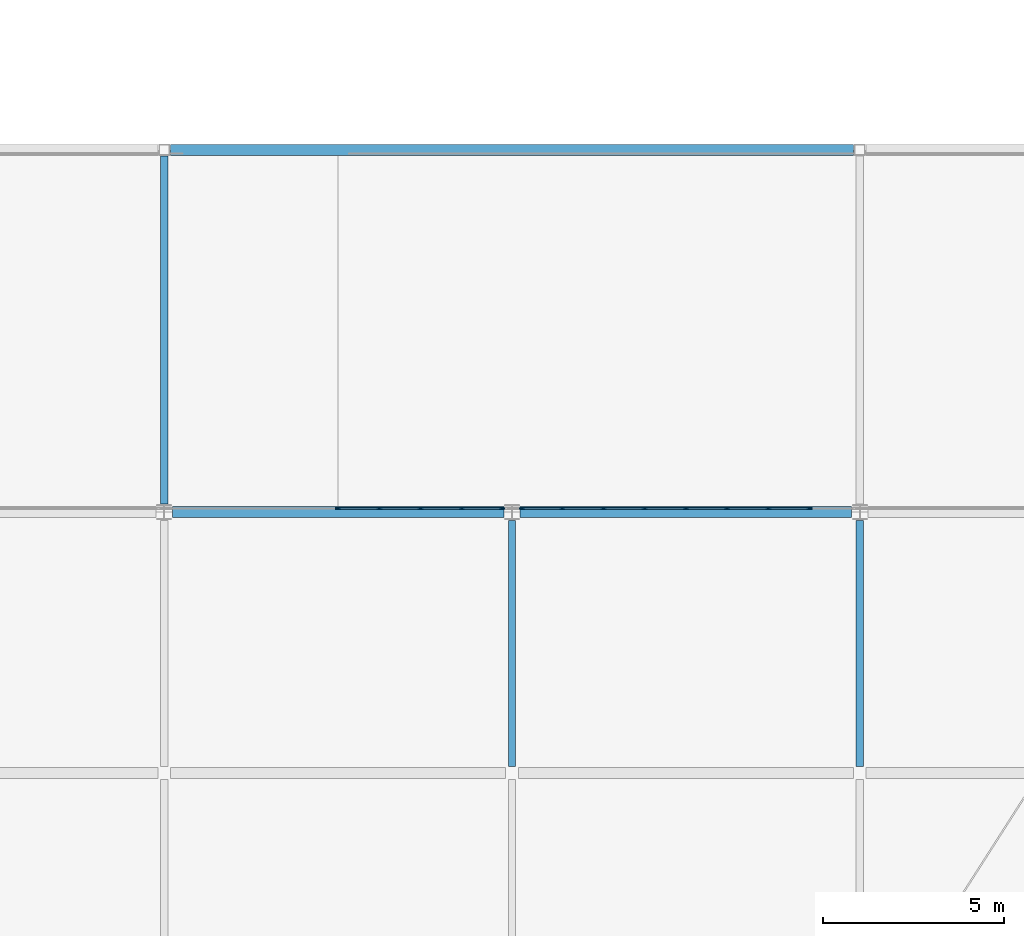
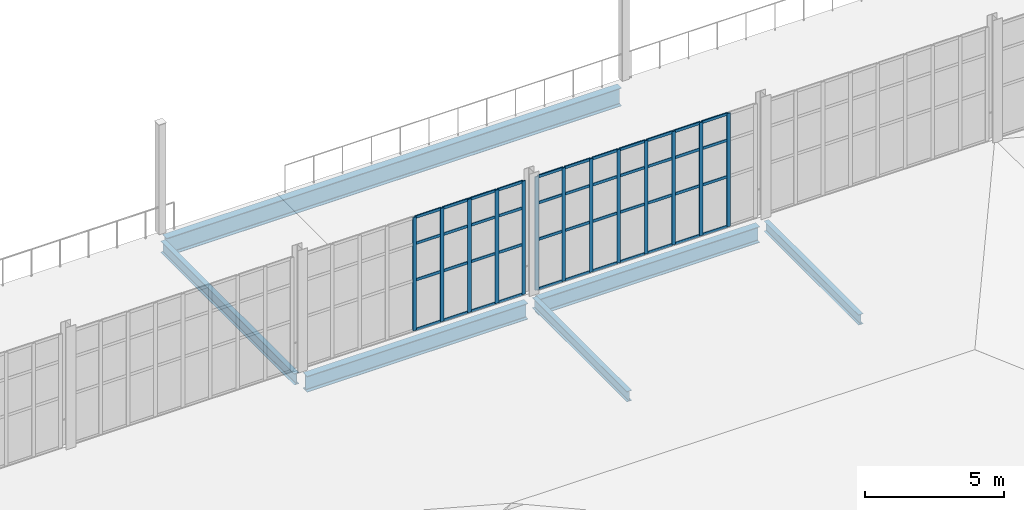
# One storey, part 34 of 112: 57 members, 6 beams, 2 elements without a shape of their own.
"""IFC4 building model written with IfcOpenShell, lengths in metres."""

from ifc_helpers import new_model, si_unit, direction, frame, origin, origin_2d, place, context, subcontext, project, spatial, rectangle, i_section, extrude, material, layer, layer_set, material_profile, profile_set, type_object, element, aggregate, save


model = new_model("IFC4")

# Units and contexts
model_context = context("Model", 3, precision=1e-05, world=origin(), true_north=direction((0.0, 1.0)))
body_context = subcontext(model_context, "Body", "Model", "MODEL_VIEW")
ifc_project = project(units=[si_unit("LENGTHUNIT", "METRE"), si_unit("AREAUNIT", "SQUARE_METRE"), si_unit("VOLUMEUNIT", "CUBIC_METRE"), si_unit("PLANEANGLEUNIT", "RADIAN"), si_unit("MASSUNIT", "GRAM", prefix="KILO")], contexts=[model_context])

# Site, building, storey
site_placement = place(None, origin())
site = spatial("IfcSite", under=ifc_project, at=site_placement, CompositionType="ELEMENT")
building_placement = place(site_placement, origin())
building = spatial("IfcBuilding", under=site, at=building_placement, Name="Yeouljin Market Hall", CompositionType="ELEMENT")
storey_placement = place(building_placement, frame((0.0, 0.0, 6.0)))
storey = spatial("IfcBuildingStorey", under=building, at=storey_placement, Name="L01", CompositionType="ELEMENT", Elevation=6.0)

# Beams
ifc_material_1 = material(Name="Steel SM355", Category="steel")
ifc_material_profile_1 = material_profile(ifc_material_1, i_section(OverallWidth=0.199951171875, OverallDepth=0.449951171875, WebThickness=0.009033203125, FlangeThickness=0.013916015625, FilletRadius=0.01806640625, at=origin_2d()), Name="H-450x200x9x14")
ifc_profile_set_1 = profile_set([ifc_material_profile_1], Name="Steel SM355")
beam_type_1 = type_object("IfcBeamType", Name="Beam_H-450x200x9x14", PredefinedType="BEAM", material=ifc_profile_set_1)
for number, where, z_axis, x_axis, name in (
    (1, (93.0, 28.97509765625, -0.2451171875), (0.0, 1.0, 0.0), (-1.0, 0.0, 0.0), "Boulevard forecourt canopy beam BM-V5FC-Y21"),
    (2, (102.60009765625, 28.97509765625, -0.2451171875), (0.0, 1.0, 0.0), (-1.0, 0.0, 0.0), "Boulevard forecourt canopy beam BM-V5FC-Y25"),
):
    element("IfcBeam", number, at=place(storey_placement, frame(where, z_axis=z_axis, x_axis=x_axis)), inside=storey, type_object=beam_type_1, Name=name, PredefinedType="BEAM", context=body_context, shape_type="SweptSolid", body=[
        extrude(i_section(OverallWidth=0.199951171875, OverallDepth=0.449951171875, WebThickness=0.009033203125, FlangeThickness=0.013916015625, FilletRadius=0.01806640625, at=origin_2d()), origin(), (0.0, 0.0, 1.0), 6.7998046875),
    ])
ifc_material_2 = material(Name="Steel SM355", Category="steel")
ifc_material_profile_2 = material_profile(ifc_material_2, i_section(OverallWidth=0.199951171875, OverallDepth=0.5, WebThickness=0.010009765625, FlangeThickness=0.01611328125, FilletRadius=0.02001953125, at=origin_2d()), Name="H-500x200x10x16")
ifc_profile_set_2 = profile_set([ifc_material_profile_2], Name="Steel SM355")
beam_type_2 = type_object("IfcBeamType", Name="Beam_H-500x200x10x16", PredefinedType="BEAM", material=ifc_profile_set_2)
beam_1_placement = place(storey_placement, frame((83.39990234375, 36.22509765625, -0.52001953125), z_axis=(0.0, 1.0, 0.0), x_axis=(-1.0, 0.0, 0.0)))
element("IfcBeam", 3, at=beam_1_placement, inside=storey, type_object=beam_type_2, Name="Primary beam BM-L01-Y176", PredefinedType="BEAM", context=body_context, shape_type="SweptSolid", body=[
    extrude(i_section(OverallWidth=0.199951171875, OverallDepth=0.5, WebThickness=0.010009765625, FlangeThickness=0.01611328125, FilletRadius=0.02001953125, at=origin_2d()), origin(), (0.0, 0.0, 1.0), 9.599853515625),
])

# Curtain wall, members
ifc_material_3 = material(Name="Thermally Broken Aluminium", Category="aluminium")
ifc_layer = layer(ifc_material_3, 0.159912109375)
ifc_layer_set = layer_set([ifc_layer], Name="Thermally Broken Aluminium")
curtain_wall_type = type_object("IfcCurtainWallType", Name="CW_HallClerestory_System", PredefinedType="USERDEFINED", material=ifc_layer_set)
curtain_wall_1_placement = place(storey_placement, origin())
curtain_wall_1 = element("IfcCurtainWall", 4, at=curtain_wall_1_placement, inside=storey, type_object=curtain_wall_type, Name="Curtain wall CW-V1S-L01-06", ObjectType="CURTAIN WALL", PredefinedType="USERDEFINED")
ifc_material_4 = material(Name="Thermally Broken Aluminium", Category="aluminium")
ifc_material_profile_3 = material_profile(ifc_material_4, rectangle(XDim=0.048095703125, YDim=0.14990234375, at=origin_2d()), Name="CW-MULL-48x150")
ifc_profile_set_3 = profile_set([ifc_material_profile_3], Name="Thermally Broken Aluminium")
member_type_1 = type_object("IfcMemberType", Name="CWMullion_48x150", PredefinedType="MULLION", material=ifc_profile_set_3)
member_1_placement = place(storey_placement, frame((92.72607421875, 36.10009765625, 0.0), z_axis=(0.0, 0.0, 1.0), x_axis=(0.0, -1.0, 0.0)))
member_1 = element("IfcMember", 5, at=member_1_placement, type_object=member_type_1, Name="CW-02 mullion 1", PredefinedType="MULLION", context=body_context, shape_type="SweptSolid", body=[
    extrude(rectangle(XDim=0.048095703125, YDim=0.14990234375, at=origin_2d()), origin(), (0.0, 0.0, 1.0), 4.969970703125),
])
member_2_placement = place(storey_placement, frame((91.612548828125, 36.10009765625, 0.0), z_axis=(0.0, 0.0, 1.0), x_axis=(0.0, -1.0, 0.0)))
member_2 = element("IfcMember", 6, at=member_2_placement, type_object=member_type_1, Name="CW-02 mullion 2", PredefinedType="MULLION", context=body_context, shape_type="SweptSolid", body=[
    extrude(rectangle(XDim=0.048095703125, YDim=0.14990234375, at=origin_2d()), origin(), (0.0, 0.0, 1.0), 4.969970703125),
])
member_3_placement = place(storey_placement, frame((90.47509765625, 36.10009765625, 0.0), z_axis=(0.0, 0.0, 1.0), x_axis=(0.0, -1.0, 0.0)))
member_3 = element("IfcMember", 7, at=member_3_placement, type_object=member_type_1, Name="CW-02 mullion 3", PredefinedType="MULLION", context=body_context, shape_type="SweptSolid", body=[
    extrude(rectangle(XDim=0.048095703125, YDim=0.14990234375, at=origin_2d()), origin(), (0.0, 0.0, 1.0), 4.969970703125),
])
member_4_placement = place(storey_placement, frame((89.33740234375, 36.10009765625, 0.0), z_axis=(0.0, 0.0, 1.0), x_axis=(0.0, -1.0, 0.0)))
member_4 = element("IfcMember", 8, at=member_4_placement, type_object=member_type_1, Name="CW-02 mullion 4", PredefinedType="MULLION", context=body_context, shape_type="SweptSolid", body=[
    extrude(rectangle(XDim=0.048095703125, YDim=0.14990234375, at=origin_2d()), origin(), (0.0, 0.0, 1.0), 4.969970703125),
])
member_5_placement = place(storey_placement, frame((88.199951171875, 36.10009765625, 0.0), z_axis=(0.0, 0.0, 1.0), x_axis=(0.0, -1.0, 0.0)))
member_5 = element("IfcMember", 9, at=member_5_placement, type_object=member_type_1, Name="CW-02 mullion 5", PredefinedType="MULLION", context=body_context, shape_type="SweptSolid", body=[
    extrude(rectangle(XDim=0.048095703125, YDim=0.14990234375, at=origin_2d()), origin(), (0.0, 0.0, 1.0), 4.969970703125),
])

curtain_wall_2_placement = place(storey_placement, origin())
curtain_wall_2 = element("IfcCurtainWall", 10, at=curtain_wall_2_placement, inside=storey, type_object=curtain_wall_type, Name="Curtain wall CW-V1S-L01-07", ObjectType="CURTAIN WALL", PredefinedType="USERDEFINED")
member_6_placement = place(storey_placement, frame((101.21240234375, 36.10009765625, 0.0), z_axis=(0.0, 0.0, 1.0), x_axis=(0.0, -1.0, 0.0)))
member_6 = element("IfcMember", 11, at=member_6_placement, type_object=member_type_1, Name="CW-02 mullion 2", PredefinedType="MULLION", context=body_context, shape_type="SweptSolid", body=[
    extrude(rectangle(XDim=0.048095703125, YDim=0.14990234375, at=origin_2d()), origin(), (0.0, 0.0, 1.0), 4.969970703125),
])
member_7_placement = place(storey_placement, frame((100.074951171875, 36.10009765625, 0.0), z_axis=(0.0, 0.0, 1.0), x_axis=(0.0, -1.0, 0.0)))
member_7 = element("IfcMember", 12, at=member_7_placement, type_object=member_type_1, Name="CW-02 mullion 3", PredefinedType="MULLION", context=body_context, shape_type="SweptSolid", body=[
    extrude(rectangle(XDim=0.048095703125, YDim=0.14990234375, at=origin_2d()), origin(), (0.0, 0.0, 1.0), 4.969970703125),
])
member_8_placement = place(storey_placement, frame((98.9375, 36.10009765625, 0.0), z_axis=(0.0, 0.0, 1.0), x_axis=(0.0, -1.0, 0.0)))
member_8 = element("IfcMember", 13, at=member_8_placement, type_object=member_type_1, Name="CW-02 mullion 4", PredefinedType="MULLION", context=body_context, shape_type="SweptSolid", body=[
    extrude(rectangle(XDim=0.048095703125, YDim=0.14990234375, at=origin_2d()), origin(), (0.0, 0.0, 1.0), 4.969970703125),
])
member_9_placement = place(storey_placement, frame((97.800048828125, 36.10009765625, 0.0), z_axis=(0.0, 0.0, 1.0), x_axis=(0.0, -1.0, 0.0)))
member_9 = element("IfcMember", 14, at=member_9_placement, type_object=member_type_1, Name="CW-02 mullion 5", PredefinedType="MULLION", context=body_context, shape_type="SweptSolid", body=[
    extrude(rectangle(XDim=0.048095703125, YDim=0.14990234375, at=origin_2d()), origin(), (0.0, 0.0, 1.0), 4.969970703125),
])
member_10_placement = place(storey_placement, frame((96.66259765625, 36.10009765625, 0.0), z_axis=(0.0, 0.0, 1.0), x_axis=(0.0, -1.0, 0.0)))
member_10 = element("IfcMember", 15, at=member_10_placement, type_object=member_type_1, Name="CW-02 mullion 6", PredefinedType="MULLION", context=body_context, shape_type="SweptSolid", body=[
    extrude(rectangle(XDim=0.048095703125, YDim=0.14990234375, at=origin_2d()), origin(), (0.0, 0.0, 1.0), 4.969970703125),
])
member_11_placement = place(storey_placement, frame((95.52490234375, 36.10009765625, 0.0), z_axis=(0.0, 0.0, 1.0), x_axis=(0.0, -1.0, 0.0)))
member_11 = element("IfcMember", 16, at=member_11_placement, type_object=member_type_1, Name="CW-02 mullion 7", PredefinedType="MULLION", context=body_context, shape_type="SweptSolid", body=[
    extrude(rectangle(XDim=0.048095703125, YDim=0.14990234375, at=origin_2d()), origin(), (0.0, 0.0, 1.0), 4.969970703125),
])
member_12_placement = place(storey_placement, frame((94.387451171875, 36.10009765625, 0.0), z_axis=(0.0, 0.0, 1.0), x_axis=(0.0, -1.0, 0.0)))
member_12 = element("IfcMember", 17, at=member_12_placement, type_object=member_type_1, Name="CW-02 mullion 8", PredefinedType="MULLION", context=body_context, shape_type="SweptSolid", body=[
    extrude(rectangle(XDim=0.048095703125, YDim=0.14990234375, at=origin_2d()), origin(), (0.0, 0.0, 1.0), 4.969970703125),
])
member_13_placement = place(storey_placement, frame((93.27392578125, 36.10009765625, 0.0), z_axis=(0.0, 0.0, 1.0), x_axis=(0.0, -1.0, 0.0)))
member_13 = element("IfcMember", 18, at=member_13_placement, type_object=member_type_1, Name="CW-02 mullion 9", PredefinedType="MULLION", context=body_context, shape_type="SweptSolid", body=[
    extrude(rectangle(XDim=0.048095703125, YDim=0.14990234375, at=origin_2d()), origin(), (0.0, 0.0, 1.0), 4.969970703125),
])

# Member
ifc_material_5 = material(Name="Thermally Broken Aluminium", Category="aluminium")
ifc_material_profile_4 = material_profile(ifc_material_5, rectangle(XDim=0.048095703125, YDim=0.1201171875, at=origin_2d()), Name="CW-TRAN-48x120")
ifc_profile_set_4 = profile_set([ifc_material_profile_4], Name="Thermally Broken Aluminium")
member_type_2 = type_object("IfcMemberType", Name="CWTransom_48x120", PredefinedType="USERDEFINED", material=ifc_profile_set_4)
member_14_placement = place(storey_placement, frame((92.701904296875, 36.10009765625, 0.02392578125), z_axis=(-1.0, 0.0, 0.0), x_axis=(0.0, -1.0, 0.0)))
member_14 = element("IfcMember", 19, at=member_14_placement, type_object=member_type_2, Name="CW-02 transom 1.1", ObjectType="TRANSOM", PredefinedType="USERDEFINED", context=body_context, shape_type="SweptSolid", body=[
    extrude(rectangle(XDim=0.048095703125, YDim=0.1201171875, at=origin_2d()), origin(), (0.0, 0.0, 1.0), 1.0654296875),
])

member_15_placement = place(storey_placement, frame((92.701904296875, 36.10009765625, 2.199951171875), z_axis=(-1.0, 0.0, 0.0), x_axis=(0.0, -1.0, 0.0)))
member_15 = element("IfcMember", 20, at=member_15_placement, type_object=member_type_2, Name="CW-02 transom 1.2", ObjectType="TRANSOM", PredefinedType="USERDEFINED", context=body_context, shape_type="SweptSolid", body=[
    extrude(rectangle(XDim=0.048095703125, YDim=0.1201171875, at=origin_2d()), origin(), (0.0, 0.0, 1.0), 1.0654296875),
])

member_16_placement = place(storey_placement, frame((92.701904296875, 36.10009765625, 3.800048828125), z_axis=(-1.0, 0.0, 0.0), x_axis=(0.0, -1.0, 0.0)))
member_16 = element("IfcMember", 21, at=member_16_placement, type_object=member_type_2, Name="CW-02 transom 1.3", ObjectType="TRANSOM", PredefinedType="USERDEFINED", context=body_context, shape_type="SweptSolid", body=[
    extrude(rectangle(XDim=0.048095703125, YDim=0.1201171875, at=origin_2d()), origin(), (0.0, 0.0, 1.0), 1.0654296875),
])

member_17_placement = place(storey_placement, frame((92.701904296875, 36.10009765625, 4.946044921875), z_axis=(-1.0, 0.0, 0.0), x_axis=(0.0, -1.0, 0.0)))
member_17 = element("IfcMember", 22, at=member_17_placement, type_object=member_type_2, Name="CW-02 transom 1.4", ObjectType="TRANSOM", PredefinedType="USERDEFINED", context=body_context, shape_type="SweptSolid", body=[
    extrude(rectangle(XDim=0.048095703125, YDim=0.1201171875, at=origin_2d()), origin(), (0.0, 0.0, 1.0), 1.0654296875),
])

member_18_placement = place(storey_placement, frame((91.58837890625, 36.10009765625, 0.02392578125), z_axis=(-1.0, 0.0, 0.0), x_axis=(0.0, -1.0, 0.0)))
member_18 = element("IfcMember", 23, at=member_18_placement, type_object=member_type_2, Name="CW-02 transom 2.1", ObjectType="TRANSOM", PredefinedType="USERDEFINED", context=body_context, shape_type="SweptSolid", body=[
    extrude(rectangle(XDim=0.048095703125, YDim=0.1201171875, at=origin_2d()), origin(), (0.0, 0.0, 1.0), 1.08935546875),
])

member_19_placement = place(storey_placement, frame((91.58837890625, 36.10009765625, 2.199951171875), z_axis=(-1.0, 0.0, 0.0), x_axis=(0.0, -1.0, 0.0)))
member_19 = element("IfcMember", 24, at=member_19_placement, type_object=member_type_2, Name="CW-02 transom 2.2", ObjectType="TRANSOM", PredefinedType="USERDEFINED", context=body_context, shape_type="SweptSolid", body=[
    extrude(rectangle(XDim=0.048095703125, YDim=0.1201171875, at=origin_2d()), origin(), (0.0, 0.0, 1.0), 1.08935546875),
])

member_20_placement = place(storey_placement, frame((91.58837890625, 36.10009765625, 3.800048828125), z_axis=(-1.0, 0.0, 0.0), x_axis=(0.0, -1.0, 0.0)))
member_20 = element("IfcMember", 25, at=member_20_placement, type_object=member_type_2, Name="CW-02 transom 2.3", ObjectType="TRANSOM", PredefinedType="USERDEFINED", context=body_context, shape_type="SweptSolid", body=[
    extrude(rectangle(XDim=0.048095703125, YDim=0.1201171875, at=origin_2d()), origin(), (0.0, 0.0, 1.0), 1.08935546875),
])

member_21_placement = place(storey_placement, frame((91.58837890625, 36.10009765625, 4.946044921875), z_axis=(-1.0, 0.0, 0.0), x_axis=(0.0, -1.0, 0.0)))
member_21 = element("IfcMember", 26, at=member_21_placement, type_object=member_type_2, Name="CW-02 transom 2.4", ObjectType="TRANSOM", PredefinedType="USERDEFINED", context=body_context, shape_type="SweptSolid", body=[
    extrude(rectangle(XDim=0.048095703125, YDim=0.1201171875, at=origin_2d()), origin(), (0.0, 0.0, 1.0), 1.08935546875),
])

member_22_placement = place(storey_placement, frame((90.450927734375, 36.10009765625, 0.02392578125), z_axis=(-1.0, 0.0, 0.0), x_axis=(0.0, -1.0, 0.0)))
member_22 = element("IfcMember", 27, at=member_22_placement, type_object=member_type_2, Name="CW-02 transom 3.1", ObjectType="TRANSOM", PredefinedType="USERDEFINED", context=body_context, shape_type="SweptSolid", body=[
    extrude(rectangle(XDim=0.048095703125, YDim=0.1201171875, at=origin_2d()), origin(), (0.0, 0.0, 1.0), 1.08935546875),
])

member_23_placement = place(storey_placement, frame((90.450927734375, 36.10009765625, 2.199951171875), z_axis=(-1.0, 0.0, 0.0), x_axis=(0.0, -1.0, 0.0)))
member_23 = element("IfcMember", 28, at=member_23_placement, type_object=member_type_2, Name="CW-02 transom 3.2", ObjectType="TRANSOM", PredefinedType="USERDEFINED", context=body_context, shape_type="SweptSolid", body=[
    extrude(rectangle(XDim=0.048095703125, YDim=0.1201171875, at=origin_2d()), origin(), (0.0, 0.0, 1.0), 1.08935546875),
])

member_24_placement = place(storey_placement, frame((90.450927734375, 36.10009765625, 3.800048828125), z_axis=(-1.0, 0.0, 0.0), x_axis=(0.0, -1.0, 0.0)))
member_24 = element("IfcMember", 29, at=member_24_placement, type_object=member_type_2, Name="CW-02 transom 3.3", ObjectType="TRANSOM", PredefinedType="USERDEFINED", context=body_context, shape_type="SweptSolid", body=[
    extrude(rectangle(XDim=0.048095703125, YDim=0.1201171875, at=origin_2d()), origin(), (0.0, 0.0, 1.0), 1.08935546875),
])

member_25_placement = place(storey_placement, frame((90.450927734375, 36.10009765625, 4.946044921875), z_axis=(-1.0, 0.0, 0.0), x_axis=(0.0, -1.0, 0.0)))
member_25 = element("IfcMember", 30, at=member_25_placement, type_object=member_type_2, Name="CW-02 transom 3.4", ObjectType="TRANSOM", PredefinedType="USERDEFINED", context=body_context, shape_type="SweptSolid", body=[
    extrude(rectangle(XDim=0.048095703125, YDim=0.1201171875, at=origin_2d()), origin(), (0.0, 0.0, 1.0), 1.08935546875),
])

member_26_placement = place(storey_placement, frame((89.3134765625, 36.10009765625, 0.02392578125), z_axis=(-1.0, 0.0, 0.0), x_axis=(0.0, -1.0, 0.0)))
member_26 = element("IfcMember", 31, at=member_26_placement, type_object=member_type_2, Name="CW-02 transom 4.1", ObjectType="TRANSOM", PredefinedType="USERDEFINED", context=body_context, shape_type="SweptSolid", body=[
    extrude(rectangle(XDim=0.048095703125, YDim=0.1201171875, at=origin_2d()), origin(), (0.0, 0.0, 1.0), 1.08935546875),
])

member_27_placement = place(storey_placement, frame((89.3134765625, 36.10009765625, 2.199951171875), z_axis=(-1.0, 0.0, 0.0), x_axis=(0.0, -1.0, 0.0)))
member_27 = element("IfcMember", 32, at=member_27_placement, type_object=member_type_2, Name="CW-02 transom 4.2", ObjectType="TRANSOM", PredefinedType="USERDEFINED", context=body_context, shape_type="SweptSolid", body=[
    extrude(rectangle(XDim=0.048095703125, YDim=0.1201171875, at=origin_2d()), origin(), (0.0, 0.0, 1.0), 1.08935546875),
])

member_28_placement = place(storey_placement, frame((89.3134765625, 36.10009765625, 3.800048828125), z_axis=(-1.0, 0.0, 0.0), x_axis=(0.0, -1.0, 0.0)))
member_28 = element("IfcMember", 33, at=member_28_placement, type_object=member_type_2, Name="CW-02 transom 4.3", ObjectType="TRANSOM", PredefinedType="USERDEFINED", context=body_context, shape_type="SweptSolid", body=[
    extrude(rectangle(XDim=0.048095703125, YDim=0.1201171875, at=origin_2d()), origin(), (0.0, 0.0, 1.0), 1.08935546875),
])

member_29_placement = place(storey_placement, frame((89.3134765625, 36.10009765625, 4.946044921875), z_axis=(-1.0, 0.0, 0.0), x_axis=(0.0, -1.0, 0.0)))
member_29 = element("IfcMember", 34, at=member_29_placement, type_object=member_type_2, Name="CW-02 transom 4.4", ObjectType="TRANSOM", PredefinedType="USERDEFINED", context=body_context, shape_type="SweptSolid", body=[
    extrude(rectangle(XDim=0.048095703125, YDim=0.1201171875, at=origin_2d()), origin(), (0.0, 0.0, 1.0), 1.08935546875),
])

aggregate(curtain_wall_1, [member_1, member_2, member_3, member_4, member_5, member_14, member_15, member_16, member_17, member_18, member_19, member_20, member_21, member_22, member_23, member_24, member_25, member_26, member_27, member_28, member_29])

member_30_placement = place(storey_placement, frame((101.1884765625, 36.10009765625, 0.02392578125), z_axis=(-1.0, 0.0, 0.0), x_axis=(0.0, -1.0, 0.0)))
member_30 = element("IfcMember", 35, at=member_30_placement, type_object=member_type_2, Name="CW-02 transom 2.1", ObjectType="TRANSOM", PredefinedType="USERDEFINED", context=body_context, shape_type="SweptSolid", body=[
    extrude(rectangle(XDim=0.048095703125, YDim=0.1201171875, at=origin_2d()), origin(), (0.0, 0.0, 1.0), 1.08935546875),
])

member_31_placement = place(storey_placement, frame((101.1884765625, 36.10009765625, 2.199951171875), z_axis=(-1.0, 0.0, 0.0), x_axis=(0.0, -1.0, 0.0)))
member_31 = element("IfcMember", 36, at=member_31_placement, type_object=member_type_2, Name="CW-02 transom 2.2", ObjectType="TRANSOM", PredefinedType="USERDEFINED", context=body_context, shape_type="SweptSolid", body=[
    extrude(rectangle(XDim=0.048095703125, YDim=0.1201171875, at=origin_2d()), origin(), (0.0, 0.0, 1.0), 1.08935546875),
])

member_32_placement = place(storey_placement, frame((101.1884765625, 36.10009765625, 3.800048828125), z_axis=(-1.0, 0.0, 0.0), x_axis=(0.0, -1.0, 0.0)))
member_32 = element("IfcMember", 37, at=member_32_placement, type_object=member_type_2, Name="CW-02 transom 2.3", ObjectType="TRANSOM", PredefinedType="USERDEFINED", context=body_context, shape_type="SweptSolid", body=[
    extrude(rectangle(XDim=0.048095703125, YDim=0.1201171875, at=origin_2d()), origin(), (0.0, 0.0, 1.0), 1.08935546875),
])

member_33_placement = place(storey_placement, frame((101.1884765625, 36.10009765625, 4.946044921875), z_axis=(-1.0, 0.0, 0.0), x_axis=(0.0, -1.0, 0.0)))
member_33 = element("IfcMember", 38, at=member_33_placement, type_object=member_type_2, Name="CW-02 transom 2.4", ObjectType="TRANSOM", PredefinedType="USERDEFINED", context=body_context, shape_type="SweptSolid", body=[
    extrude(rectangle(XDim=0.048095703125, YDim=0.1201171875, at=origin_2d()), origin(), (0.0, 0.0, 1.0), 1.08935546875),
])

member_34_placement = place(storey_placement, frame((100.051025390625, 36.10009765625, 0.02392578125), z_axis=(-1.0, 0.0, 0.0), x_axis=(0.0, -1.0, 0.0)))
member_34 = element("IfcMember", 39, at=member_34_placement, type_object=member_type_2, Name="CW-02 transom 3.1", ObjectType="TRANSOM", PredefinedType="USERDEFINED", context=body_context, shape_type="SweptSolid", body=[
    extrude(rectangle(XDim=0.048095703125, YDim=0.1201171875, at=origin_2d()), origin(), (0.0, 0.0, 1.0), 1.089599609375),
])

member_35_placement = place(storey_placement, frame((100.051025390625, 36.10009765625, 2.199951171875), z_axis=(-1.0, 0.0, 0.0), x_axis=(0.0, -1.0, 0.0)))
member_35 = element("IfcMember", 40, at=member_35_placement, type_object=member_type_2, Name="CW-02 transom 3.2", ObjectType="TRANSOM", PredefinedType="USERDEFINED", context=body_context, shape_type="SweptSolid", body=[
    extrude(rectangle(XDim=0.048095703125, YDim=0.1201171875, at=origin_2d()), origin(), (0.0, 0.0, 1.0), 1.089599609375),
])

member_36_placement = place(storey_placement, frame((100.051025390625, 36.10009765625, 3.800048828125), z_axis=(-1.0, 0.0, 0.0), x_axis=(0.0, -1.0, 0.0)))
member_36 = element("IfcMember", 41, at=member_36_placement, type_object=member_type_2, Name="CW-02 transom 3.3", ObjectType="TRANSOM", PredefinedType="USERDEFINED", context=body_context, shape_type="SweptSolid", body=[
    extrude(rectangle(XDim=0.048095703125, YDim=0.1201171875, at=origin_2d()), origin(), (0.0, 0.0, 1.0), 1.089599609375),
])

member_37_placement = place(storey_placement, frame((100.051025390625, 36.10009765625, 4.946044921875), z_axis=(-1.0, 0.0, 0.0), x_axis=(0.0, -1.0, 0.0)))
member_37 = element("IfcMember", 42, at=member_37_placement, type_object=member_type_2, Name="CW-02 transom 3.4", ObjectType="TRANSOM", PredefinedType="USERDEFINED", context=body_context, shape_type="SweptSolid", body=[
    extrude(rectangle(XDim=0.048095703125, YDim=0.1201171875, at=origin_2d()), origin(), (0.0, 0.0, 1.0), 1.089599609375),
])

member_38_placement = place(storey_placement, frame((98.91357421875, 36.10009765625, 0.02392578125), z_axis=(-1.0, 0.0, 0.0), x_axis=(0.0, -1.0, 0.0)))
member_38 = element("IfcMember", 43, at=member_38_placement, type_object=member_type_2, Name="CW-02 transom 4.1", ObjectType="TRANSOM", PredefinedType="USERDEFINED", context=body_context, shape_type="SweptSolid", body=[
    extrude(rectangle(XDim=0.048095703125, YDim=0.1201171875, at=origin_2d()), origin(), (0.0, 0.0, 1.0), 1.089599609375),
])

member_39_placement = place(storey_placement, frame((98.91357421875, 36.10009765625, 2.199951171875), z_axis=(-1.0, 0.0, 0.0), x_axis=(0.0, -1.0, 0.0)))
member_39 = element("IfcMember", 44, at=member_39_placement, type_object=member_type_2, Name="CW-02 transom 4.2", ObjectType="TRANSOM", PredefinedType="USERDEFINED", context=body_context, shape_type="SweptSolid", body=[
    extrude(rectangle(XDim=0.048095703125, YDim=0.1201171875, at=origin_2d()), origin(), (0.0, 0.0, 1.0), 1.089599609375),
])

member_40_placement = place(storey_placement, frame((98.91357421875, 36.10009765625, 3.800048828125), z_axis=(-1.0, 0.0, 0.0), x_axis=(0.0, -1.0, 0.0)))
member_40 = element("IfcMember", 45, at=member_40_placement, type_object=member_type_2, Name="CW-02 transom 4.3", ObjectType="TRANSOM", PredefinedType="USERDEFINED", context=body_context, shape_type="SweptSolid", body=[
    extrude(rectangle(XDim=0.048095703125, YDim=0.1201171875, at=origin_2d()), origin(), (0.0, 0.0, 1.0), 1.089599609375),
])

member_41_placement = place(storey_placement, frame((98.91357421875, 36.10009765625, 4.946044921875), z_axis=(-1.0, 0.0, 0.0), x_axis=(0.0, -1.0, 0.0)))
member_41 = element("IfcMember", 46, at=member_41_placement, type_object=member_type_2, Name="CW-02 transom 4.4", ObjectType="TRANSOM", PredefinedType="USERDEFINED", context=body_context, shape_type="SweptSolid", body=[
    extrude(rectangle(XDim=0.048095703125, YDim=0.1201171875, at=origin_2d()), origin(), (0.0, 0.0, 1.0), 1.089599609375),
])

member_42_placement = place(storey_placement, frame((97.77587890625, 36.10009765625, 0.02392578125), z_axis=(-1.0, 0.0, 0.0), x_axis=(0.0, -1.0, 0.0)))
member_42 = element("IfcMember", 47, at=member_42_placement, type_object=member_type_2, Name="CW-02 transom 5.1", ObjectType="TRANSOM", PredefinedType="USERDEFINED", context=body_context, shape_type="SweptSolid", body=[
    extrude(rectangle(XDim=0.048095703125, YDim=0.1201171875, at=origin_2d()), origin(), (0.0, 0.0, 1.0), 1.08935546875),
])

member_43_placement = place(storey_placement, frame((97.77587890625, 36.10009765625, 2.199951171875), z_axis=(-1.0, 0.0, 0.0), x_axis=(0.0, -1.0, 0.0)))
member_43 = element("IfcMember", 48, at=member_43_placement, type_object=member_type_2, Name="CW-02 transom 5.2", ObjectType="TRANSOM", PredefinedType="USERDEFINED", context=body_context, shape_type="SweptSolid", body=[
    extrude(rectangle(XDim=0.048095703125, YDim=0.1201171875, at=origin_2d()), origin(), (0.0, 0.0, 1.0), 1.08935546875),
])

member_44_placement = place(storey_placement, frame((97.77587890625, 36.10009765625, 3.800048828125), z_axis=(-1.0, 0.0, 0.0), x_axis=(0.0, -1.0, 0.0)))
member_44 = element("IfcMember", 49, at=member_44_placement, type_object=member_type_2, Name="CW-02 transom 5.3", ObjectType="TRANSOM", PredefinedType="USERDEFINED", context=body_context, shape_type="SweptSolid", body=[
    extrude(rectangle(XDim=0.048095703125, YDim=0.1201171875, at=origin_2d()), origin(), (0.0, 0.0, 1.0), 1.08935546875),
])

member_45_placement = place(storey_placement, frame((97.77587890625, 36.10009765625, 4.946044921875), z_axis=(-1.0, 0.0, 0.0), x_axis=(0.0, -1.0, 0.0)))
member_45 = element("IfcMember", 50, at=member_45_placement, type_object=member_type_2, Name="CW-02 transom 5.4", ObjectType="TRANSOM", PredefinedType="USERDEFINED", context=body_context, shape_type="SweptSolid", body=[
    extrude(rectangle(XDim=0.048095703125, YDim=0.1201171875, at=origin_2d()), origin(), (0.0, 0.0, 1.0), 1.08935546875),
])

member_46_placement = place(storey_placement, frame((96.638427734375, 36.10009765625, 0.02392578125), z_axis=(-1.0, 0.0, 0.0), x_axis=(0.0, -1.0, 0.0)))
member_46 = element("IfcMember", 51, at=member_46_placement, type_object=member_type_2, Name="CW-02 transom 6.1", ObjectType="TRANSOM", PredefinedType="USERDEFINED", context=body_context, shape_type="SweptSolid", body=[
    extrude(rectangle(XDim=0.048095703125, YDim=0.1201171875, at=origin_2d()), origin(), (0.0, 0.0, 1.0), 1.08935546875),
])

member_47_placement = place(storey_placement, frame((96.638427734375, 36.10009765625, 2.199951171875), z_axis=(-1.0, 0.0, 0.0), x_axis=(0.0, -1.0, 0.0)))
member_47 = element("IfcMember", 52, at=member_47_placement, type_object=member_type_2, Name="CW-02 transom 6.2", ObjectType="TRANSOM", PredefinedType="USERDEFINED", context=body_context, shape_type="SweptSolid", body=[
    extrude(rectangle(XDim=0.048095703125, YDim=0.1201171875, at=origin_2d()), origin(), (0.0, 0.0, 1.0), 1.08935546875),
])

member_48_placement = place(storey_placement, frame((96.638427734375, 36.10009765625, 3.800048828125), z_axis=(-1.0, 0.0, 0.0), x_axis=(0.0, -1.0, 0.0)))
member_48 = element("IfcMember", 53, at=member_48_placement, type_object=member_type_2, Name="CW-02 transom 6.3", ObjectType="TRANSOM", PredefinedType="USERDEFINED", context=body_context, shape_type="SweptSolid", body=[
    extrude(rectangle(XDim=0.048095703125, YDim=0.1201171875, at=origin_2d()), origin(), (0.0, 0.0, 1.0), 1.08935546875),
])

member_49_placement = place(storey_placement, frame((96.638427734375, 36.10009765625, 4.946044921875), z_axis=(-1.0, 0.0, 0.0), x_axis=(0.0, -1.0, 0.0)))
member_49 = element("IfcMember", 54, at=member_49_placement, type_object=member_type_2, Name="CW-02 transom 6.4", ObjectType="TRANSOM", PredefinedType="USERDEFINED", context=body_context, shape_type="SweptSolid", body=[
    extrude(rectangle(XDim=0.048095703125, YDim=0.1201171875, at=origin_2d()), origin(), (0.0, 0.0, 1.0), 1.08935546875),
])

member_50_placement = place(storey_placement, frame((95.5009765625, 36.10009765625, 0.02392578125), z_axis=(-1.0, 0.0, 0.0), x_axis=(0.0, -1.0, 0.0)))
member_50 = element("IfcMember", 55, at=member_50_placement, type_object=member_type_2, Name="CW-02 transom 7.1", ObjectType="TRANSOM", PredefinedType="USERDEFINED", context=body_context, shape_type="SweptSolid", body=[
    extrude(rectangle(XDim=0.048095703125, YDim=0.1201171875, at=origin_2d()), origin(), (0.0, 0.0, 1.0), 1.08935546875),
])

member_51_placement = place(storey_placement, frame((95.5009765625, 36.10009765625, 2.199951171875), z_axis=(-1.0, 0.0, 0.0), x_axis=(0.0, -1.0, 0.0)))
member_51 = element("IfcMember", 56, at=member_51_placement, type_object=member_type_2, Name="CW-02 transom 7.2", ObjectType="TRANSOM", PredefinedType="USERDEFINED", context=body_context, shape_type="SweptSolid", body=[
    extrude(rectangle(XDim=0.048095703125, YDim=0.1201171875, at=origin_2d()), origin(), (0.0, 0.0, 1.0), 1.08935546875),
])

member_52_placement = place(storey_placement, frame((95.5009765625, 36.10009765625, 3.800048828125), z_axis=(-1.0, 0.0, 0.0), x_axis=(0.0, -1.0, 0.0)))
member_52 = element("IfcMember", 57, at=member_52_placement, type_object=member_type_2, Name="CW-02 transom 7.3", ObjectType="TRANSOM", PredefinedType="USERDEFINED", context=body_context, shape_type="SweptSolid", body=[
    extrude(rectangle(XDim=0.048095703125, YDim=0.1201171875, at=origin_2d()), origin(), (0.0, 0.0, 1.0), 1.08935546875),
])

member_53_placement = place(storey_placement, frame((95.5009765625, 36.10009765625, 4.946044921875), z_axis=(-1.0, 0.0, 0.0), x_axis=(0.0, -1.0, 0.0)))
member_53 = element("IfcMember", 58, at=member_53_placement, type_object=member_type_2, Name="CW-02 transom 7.4", ObjectType="TRANSOM", PredefinedType="USERDEFINED", context=body_context, shape_type="SweptSolid", body=[
    extrude(rectangle(XDim=0.048095703125, YDim=0.1201171875, at=origin_2d()), origin(), (0.0, 0.0, 1.0), 1.08935546875),
])

member_54_placement = place(storey_placement, frame((94.363525390625, 36.10009765625, 0.02392578125), z_axis=(-1.0, 0.0, 0.0), x_axis=(0.0, -1.0, 0.0)))
member_54 = element("IfcMember", 59, at=member_54_placement, type_object=member_type_2, Name="CW-02 transom 8.1", ObjectType="TRANSOM", PredefinedType="USERDEFINED", context=body_context, shape_type="SweptSolid", body=[
    extrude(rectangle(XDim=0.048095703125, YDim=0.1201171875, at=origin_2d()), origin(), (0.0, 0.0, 1.0), 1.0654296875),
])

member_55_placement = place(storey_placement, frame((94.363525390625, 36.10009765625, 2.199951171875), z_axis=(-1.0, 0.0, 0.0), x_axis=(0.0, -1.0, 0.0)))
member_55 = element("IfcMember", 60, at=member_55_placement, type_object=member_type_2, Name="CW-02 transom 8.2", ObjectType="TRANSOM", PredefinedType="USERDEFINED", context=body_context, shape_type="SweptSolid", body=[
    extrude(rectangle(XDim=0.048095703125, YDim=0.1201171875, at=origin_2d()), origin(), (0.0, 0.0, 1.0), 1.0654296875),
])

member_56_placement = place(storey_placement, frame((94.363525390625, 36.10009765625, 3.800048828125), z_axis=(-1.0, 0.0, 0.0), x_axis=(0.0, -1.0, 0.0)))
member_56 = element("IfcMember", 61, at=member_56_placement, type_object=member_type_2, Name="CW-02 transom 8.3", ObjectType="TRANSOM", PredefinedType="USERDEFINED", context=body_context, shape_type="SweptSolid", body=[
    extrude(rectangle(XDim=0.048095703125, YDim=0.1201171875, at=origin_2d()), origin(), (0.0, 0.0, 1.0), 1.0654296875),
])

member_57_placement = place(storey_placement, frame((94.363525390625, 36.10009765625, 4.946044921875), z_axis=(-1.0, 0.0, 0.0), x_axis=(0.0, -1.0, 0.0)))
member_57 = element("IfcMember", 62, at=member_57_placement, type_object=member_type_2, Name="CW-02 transom 8.4", ObjectType="TRANSOM", PredefinedType="USERDEFINED", context=body_context, shape_type="SweptSolid", body=[
    extrude(rectangle(XDim=0.048095703125, YDim=0.1201171875, at=origin_2d()), origin(), (0.0, 0.0, 1.0), 1.0654296875),
])

aggregate(curtain_wall_2, [member_6, member_7, member_8, member_9, member_10, member_11, member_12, member_13, member_30, member_31, member_32, member_33, member_34, member_35, member_36, member_37, member_38, member_39, member_40, member_41, member_42, member_43, member_44, member_45, member_46, member_47, member_48, member_49, member_50, member_51, member_52, member_53, member_54, member_55, member_56, member_57])

# Beams
ifc_material_6 = material(Name="Steel SM355", Category="steel")
ifc_material_profile_5 = material_profile(ifc_material_6, i_section(OverallWidth=0.300048828125, OverallDepth=0.699951171875, WebThickness=0.012939453125, FlangeThickness=0.02392578125, FilletRadius=0.02587890625, at=origin_2d()), Name="H-700x300x13x24")
ifc_profile_set_5 = profile_set([ifc_material_profile_5], Name="Steel SM355")
beam_type_3 = type_object("IfcBeamType", Name="Girder_H-700x300x13x24", PredefinedType="USERDEFINED", material=ifc_profile_set_5)
for number, where, z_axis, x_axis, name in (
    (63, (83.625, 36.0, -0.6201171875), (1.0, 0.0, 0.0), (0.0, 1.0, 0.0), "Primary girder GRD-L01-X053"),
    (64, (93.22509765625, 36.0, -0.6201171875), (1.0, 0.0, 0.0), (0.0, 1.0, 0.0), "Primary girder GRD-L01-X054"),
):
    element("IfcBeam", number, at=place(storey_placement, frame(where, z_axis=z_axis, x_axis=x_axis)), inside=storey, type_object=beam_type_3, Name=name, ObjectType="GIRDER", PredefinedType="USERDEFINED", context=body_context, shape_type="SweptSolid", body=[
        extrude(i_section(OverallWidth=0.300048828125, OverallDepth=0.699951171875, WebThickness=0.012939453125, FlangeThickness=0.02392578125, FilletRadius=0.02587890625, at=origin_2d()), origin(), (0.0, 0.0, 1.0), 9.14990234375),
    ])
ifc_material_7 = material(Name="Steel SM355", Category="steel")
ifc_material_profile_6 = material_profile(ifc_material_7, i_section(OverallWidth=0.300048828125, OverallDepth=0.800048828125, WebThickness=0.013916015625, FlangeThickness=0.02587890625, FilletRadius=0.028076171875, at=origin_2d()), Name="H-800x300x14x26")
ifc_profile_set_6 = profile_set([ifc_material_profile_6], Name="Steel SM355")
beam_type_4 = type_object("IfcBeamType", Name="Girder_H-800x300x14x26", PredefinedType="USERDEFINED", material=ifc_profile_set_6)
beam_2_placement = place(storey_placement, frame((83.574951171875, 46.0, -0.669921875), z_axis=(1.0, 0.0, 0.0), x_axis=(0.0, 1.0, 0.0)))
element("IfcBeam", 65, at=beam_2_placement, inside=storey, type_object=beam_type_4, Name="Primary girder GRD-L01-X065", ObjectType="GIRDER", PredefinedType="USERDEFINED", context=body_context, shape_type="SweptSolid", body=[
    extrude(i_section(OverallWidth=0.300048828125, OverallDepth=0.800048828125, WebThickness=0.013916015625, FlangeThickness=0.02587890625, FilletRadius=0.028076171875, at=origin_2d()), origin(), (0.0, 0.0, 1.0), 18.85009765625),
])

save(model, "model.ifc")
